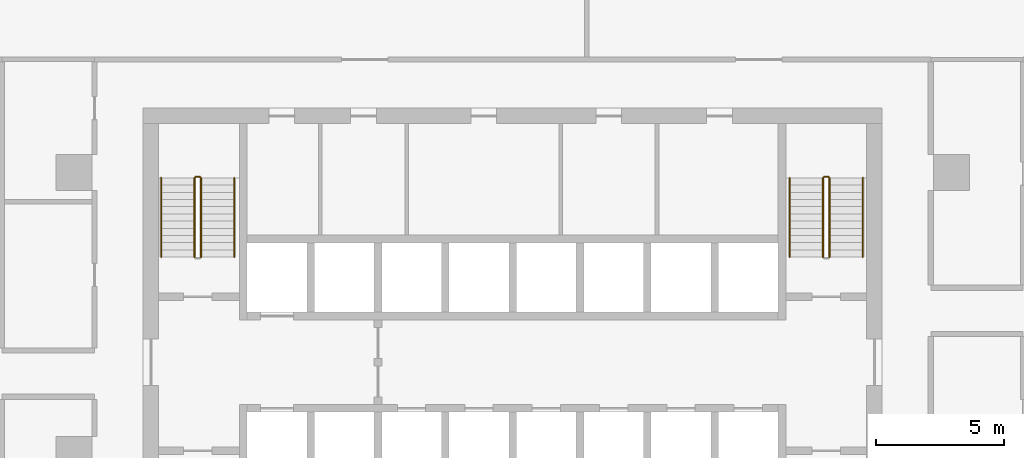
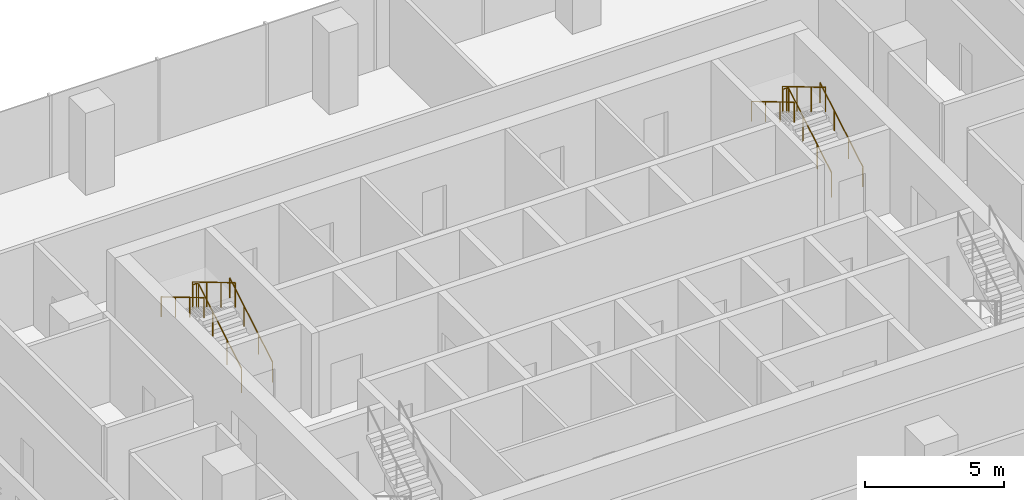
# One storey, part 14 of 14: 8 railings.
"""IFC4 building model written with IfcOpenShell, lengths in metres."""

from ifc_helpers import new_model, si_unit, direction, frame, origin, origin_2d, place, context, subcontext, project, spatial, circle, extrude, material, type_object, element, save


model = new_model("IFC4")

# Units and contexts
model_context = context("Model", 3, precision=1e-05, world=origin(), true_north=direction((0.0, 1.0)))
body_context = subcontext(model_context, "Body", "Model", "MODEL_VIEW")
ifc_project = project(units=[si_unit("LENGTHUNIT", "METRE"), si_unit("AREAUNIT", "SQUARE_METRE"), si_unit("VOLUMEUNIT", "CUBIC_METRE"), si_unit("PLANEANGLEUNIT", "RADIAN"), si_unit("MASSUNIT", "GRAM", prefix="KILO")], contexts=[model_context])

# Site, building, storey
site_placement = place(None, origin())
site = spatial("IfcSite", under=ifc_project, at=site_placement, CompositionType="ELEMENT")
building_placement = place(site_placement, origin())
building = spatial("IfcBuilding", under=site, at=building_placement, Name="Mopane Tessera Tower", CompositionType="ELEMENT")
storey_placement = place(building_placement, frame((0.0, 0.0, 161.0)))
storey = spatial("IfcBuildingStorey", under=building, at=storey_placement, Name="L32", CompositionType="ELEMENT", Elevation=161.0)

# Railings
ifc_material_1 = material(Name="Powder-coated steel balustrade", Category="steel")
railing_type_1 = type_object("IfcRailingType", Name="Escape stair guard 1100 mm", PredefinedType="GUARDRAIL", material=ifc_material_1)
railing_1_placement = place(storey_placement, frame((-12.14990234375, 7.699951171875, 0.166748046875)))
element("IfcRailing", 1, at=railing_1_placement, inside=storey, type_object=railing_type_1, Name="L32 ST2 stair guard 1", PredefinedType="GUARDRAIL", context=body_context, shape_type="SweptSolid", body=[
    extrude(circle(Radius=0.02392578125, at=origin_2d()), frame((0.0, 0.0, 1.076171875), z_axis=(0.0, 0.859308565015, 0.511457515432), x_axis=(-1.0, 0.0, 0.0)), (0.0, 0.0, 1.0), 3.58447265625),
    extrude(circle(Radius=0.02392578125, at=origin_2d()), frame((0.0, 3.080078125, 2.9091796875), z_axis=(-0.707106781187, 0.707106781187, 0.0), x_axis=(-0.707106781187, -0.707106781187, 0.0)), (0.0, 0.0, 1.0), 0.07080078125),
    extrude(circle(Radius=0.02392578125, at=origin_2d()), frame((-0.050048828125, 3.130126953125, 2.9091796875), z_axis=(-1.0, 0.0, 0.0), x_axis=(0.0, -1.0, 0.0)), (0.0, 0.0, 1.0), 0.150146484375),
    extrude(circle(Radius=0.02099609375, at=origin_2d()), origin(), (0.0, 0.0, 1.0), 1.052001953125),
    extrude(circle(Radius=0.02099609375, at=origin_2d()), frame((0.0, 1.026611328125, 0.611083984375)), (0.0, 0.0, 1.0), 1.052001953125),
    extrude(circle(Radius=0.02099609375, at=origin_2d()), frame((0.0, 2.053466796875, 1.22216796875)), (0.0, 0.0, 1.0), 1.052001953125),
    extrude(circle(Radius=0.02099609375, at=origin_2d()), frame((0.0, 3.080078125, 1.833251953125)), (0.0, 0.0, 1.0), 1.052001953125),
    extrude(circle(Radius=0.02099609375, at=origin_2d()), frame((-0.050048828125, 3.130126953125, 1.833251953125)), (0.0, 0.0, 1.0), 1.052001953125),
    extrude(circle(Radius=0.02099609375, at=origin_2d()), frame((-0.2001953125, 3.130126953125, 1.833251953125)), (0.0, 0.0, 1.0), 1.052001953125),
])
railing_2_placement = place(storey_placement, frame((-12.39990234375, 10.780029296875, 2.166748046875)))
element("IfcRailing", 2, at=railing_2_placement, inside=storey, type_object=railing_type_1, Name="L32 ST2 stair guard 2", PredefinedType="GUARDRAIL", context=body_context, shape_type="SweptSolid", body=[
    extrude(circle(Radius=0.02392578125, at=origin_2d()), frame((0.0, 0.0, 1.076171875), z_axis=(0.0, -0.859308565015, 0.511457515432), x_axis=(1.0, 0.0, 0.0)), (0.0, 0.0, 1.0), 3.58447265625),
    extrude(circle(Radius=0.02099609375, at=origin_2d()), origin(), (0.0, 0.0, 1.0), 1.052001953125),
    extrude(circle(Radius=0.02099609375, at=origin_2d()), frame((0.0, -1.026611328125, 0.611083984375)), (0.0, 0.0, 1.0), 1.052001953125),
    extrude(circle(Radius=0.02099609375, at=origin_2d()), frame((0.0, -2.053466796875, 1.22216796875)), (0.0, 0.0, 1.0), 1.052001953125),
    extrude(circle(Radius=0.02099609375, at=origin_2d()), frame((0.0, -3.080078125, 1.833251953125)), (0.0, 0.0, 1.0), 1.052001953125),
])
railing_3_placement = place(storey_placement, frame((12.35009765625, 7.699951171875, 0.166748046875)))
element("IfcRailing", 3, at=railing_3_placement, inside=storey, type_object=railing_type_1, Name="L32 ST4 stair guard 1", PredefinedType="GUARDRAIL", context=body_context, shape_type="SweptSolid", body=[
    extrude(circle(Radius=0.02392578125, at=origin_2d()), frame((0.0, 0.0, 1.076171875), z_axis=(0.0, 0.859308565015, 0.511457515432), x_axis=(-1.0, 0.0, 0.0)), (0.0, 0.0, 1.0), 3.58447265625),
    extrude(circle(Radius=0.02392578125, at=origin_2d()), frame((0.0, 3.080078125, 2.9091796875), z_axis=(-0.707106781187, 0.707106781187, 0.0), x_axis=(-0.707106781187, -0.707106781187, 0.0)), (0.0, 0.0, 1.0), 0.07080078125),
    extrude(circle(Radius=0.02392578125, at=origin_2d()), frame((-0.050048828125, 3.130126953125, 2.9091796875), z_axis=(-1.0, 0.0, 0.0), x_axis=(0.0, -1.0, 0.0)), (0.0, 0.0, 1.0), 0.150146484375),
    extrude(circle(Radius=0.02099609375, at=origin_2d()), origin(), (0.0, 0.0, 1.0), 1.052001953125),
    extrude(circle(Radius=0.02099609375, at=origin_2d()), frame((0.0, 1.026611328125, 0.611083984375)), (0.0, 0.0, 1.0), 1.052001953125),
    extrude(circle(Radius=0.02099609375, at=origin_2d()), frame((0.0, 2.053466796875, 1.22216796875)), (0.0, 0.0, 1.0), 1.052001953125),
    extrude(circle(Radius=0.02099609375, at=origin_2d()), frame((0.0, 3.080078125, 1.833251953125)), (0.0, 0.0, 1.0), 1.052001953125),
    extrude(circle(Radius=0.02099609375, at=origin_2d()), frame((-0.050048828125, 3.130126953125, 1.833251953125)), (0.0, 0.0, 1.0), 1.052001953125),
    extrude(circle(Radius=0.02099609375, at=origin_2d()), frame((-0.2001953125, 3.130126953125, 1.833251953125)), (0.0, 0.0, 1.0), 1.052001953125),
])
railing_4_placement = place(storey_placement, frame((12.10009765625, 10.780029296875, 2.166748046875)))
element("IfcRailing", 4, at=railing_4_placement, inside=storey, type_object=railing_type_1, Name="L32 ST4 stair guard 2", PredefinedType="GUARDRAIL", context=body_context, shape_type="SweptSolid", body=[
    extrude(circle(Radius=0.02392578125, at=origin_2d()), frame((0.0, 0.0, 1.076171875), z_axis=(0.0, -0.859308565015, 0.511457515432), x_axis=(1.0, 0.0, 0.0)), (0.0, 0.0, 1.0), 3.58447265625),
    extrude(circle(Radius=0.02099609375, at=origin_2d()), origin(), (0.0, 0.0, 1.0), 1.052001953125),
    extrude(circle(Radius=0.02099609375, at=origin_2d()), frame((0.0, -1.026611328125, 0.611083984375)), (0.0, 0.0, 1.0), 1.052001953125),
    extrude(circle(Radius=0.02099609375, at=origin_2d()), frame((0.0, -2.053466796875, 1.22216796875)), (0.0, 0.0, 1.0), 1.052001953125),
    extrude(circle(Radius=0.02099609375, at=origin_2d()), frame((0.0, -3.080078125, 1.833251953125)), (0.0, 0.0, 1.0), 1.052001953125),
])
ifc_material_2 = material(Name="Powder-coated steel balustrade", Category="steel")
railing_type_2 = type_object("IfcRailingType", Name="Escape stair handrail 900 mm", PredefinedType="HANDRAIL", material=ifc_material_2)
railing_5_placement = place(storey_placement, frame((-10.85009765625, 7.699951171875, 0.166748046875)))
element("IfcRailing", 5, at=railing_5_placement, inside=storey, type_object=railing_type_2, Name="L32 ST2 stair handrail 1", PredefinedType="HANDRAIL", context=body_context, shape_type="SweptSolid", body=[
    extrude(circle(Radius=0.02392578125, at=origin_2d()), frame((0.0, 0.0, 0.8759765625), z_axis=(0.0, 0.859308565015, 0.511457515432), x_axis=(-1.0, 0.0, 0.0)), (0.0, 0.0, 1.0), 3.58447265625),
    extrude(circle(Radius=0.02099609375, at=origin_2d()), origin(), (0.0, 0.0, 1.0), 0.851806640625),
    extrude(circle(Radius=0.02099609375, at=origin_2d()), frame((0.0, 1.026611328125, 0.611083984375)), (0.0, 0.0, 1.0), 0.851806640625),
    extrude(circle(Radius=0.02099609375, at=origin_2d()), frame((0.0, 2.053466796875, 1.22216796875)), (0.0, 0.0, 1.0), 0.851806640625),
    extrude(circle(Radius=0.02099609375, at=origin_2d()), frame((0.0, 3.080078125, 1.833251953125)), (0.0, 0.0, 1.0), 0.851806640625),
])
railing_6_placement = place(storey_placement, frame((-13.699951171875, 10.780029296875, 2.166748046875)))
element("IfcRailing", 6, at=railing_6_placement, inside=storey, type_object=railing_type_2, Name="L32 ST2 stair handrail 2", PredefinedType="HANDRAIL", context=body_context, shape_type="SweptSolid", body=[
    extrude(circle(Radius=0.02392578125, at=origin_2d()), frame((0.0, 0.0, 0.8759765625), z_axis=(0.0, -0.859308565015, 0.511457515432), x_axis=(1.0, 0.0, 0.0)), (0.0, 0.0, 1.0), 3.58447265625),
    extrude(circle(Radius=0.02099609375, at=origin_2d()), origin(), (0.0, 0.0, 1.0), 0.851806640625),
    extrude(circle(Radius=0.02099609375, at=origin_2d()), frame((0.0, -1.026611328125, 0.611083984375)), (0.0, 0.0, 1.0), 0.851806640625),
    extrude(circle(Radius=0.02099609375, at=origin_2d()), frame((0.0, -2.053466796875, 1.22216796875)), (0.0, 0.0, 1.0), 0.851806640625),
    extrude(circle(Radius=0.02099609375, at=origin_2d()), frame((0.0, -3.080078125, 1.833251953125)), (0.0, 0.0, 1.0), 0.851806640625),
])
railing_7_placement = place(storey_placement, frame((13.64990234375, 7.699951171875, 0.166748046875)))
element("IfcRailing", 7, at=railing_7_placement, inside=storey, type_object=railing_type_2, Name="L32 ST4 stair handrail 1", PredefinedType="HANDRAIL", context=body_context, shape_type="SweptSolid", body=[
    extrude(circle(Radius=0.02392578125, at=origin_2d()), frame((0.0, 0.0, 0.8759765625), z_axis=(0.0, 0.859308565015, 0.511457515432), x_axis=(-1.0, 0.0, 0.0)), (0.0, 0.0, 1.0), 3.58447265625),
    extrude(circle(Radius=0.02099609375, at=origin_2d()), origin(), (0.0, 0.0, 1.0), 0.851806640625),
    extrude(circle(Radius=0.02099609375, at=origin_2d()), frame((0.0, 1.026611328125, 0.611083984375)), (0.0, 0.0, 1.0), 0.851806640625),
    extrude(circle(Radius=0.02099609375, at=origin_2d()), frame((0.0, 2.053466796875, 1.22216796875)), (0.0, 0.0, 1.0), 0.851806640625),
    extrude(circle(Radius=0.02099609375, at=origin_2d()), frame((0.0, 3.080078125, 1.833251953125)), (0.0, 0.0, 1.0), 0.851806640625),
])
railing_8_placement = place(storey_placement, frame((10.800048828125, 10.780029296875, 2.166748046875)))
element("IfcRailing", 8, at=railing_8_placement, inside=storey, type_object=railing_type_2, Name="L32 ST4 stair handrail 2", PredefinedType="HANDRAIL", context=body_context, shape_type="SweptSolid", body=[
    extrude(circle(Radius=0.02392578125, at=origin_2d()), frame((0.0, 0.0, 0.8759765625), z_axis=(0.0, -0.859308565015, 0.511457515432), x_axis=(1.0, 0.0, 0.0)), (0.0, 0.0, 1.0), 3.58447265625),
    extrude(circle(Radius=0.02099609375, at=origin_2d()), origin(), (0.0, 0.0, 1.0), 0.851806640625),
    extrude(circle(Radius=0.02099609375, at=origin_2d()), frame((0.0, -1.026611328125, 0.611083984375)), (0.0, 0.0, 1.0), 0.851806640625),
    extrude(circle(Radius=0.02099609375, at=origin_2d()), frame((0.0, -2.053466796875, 1.22216796875)), (0.0, 0.0, 1.0), 0.851806640625),
    extrude(circle(Radius=0.02099609375, at=origin_2d()), frame((0.0, -3.080078125, 1.833251953125)), (0.0, 0.0, 1.0), 0.851806640625),
])

save(model, "model.ifc")
